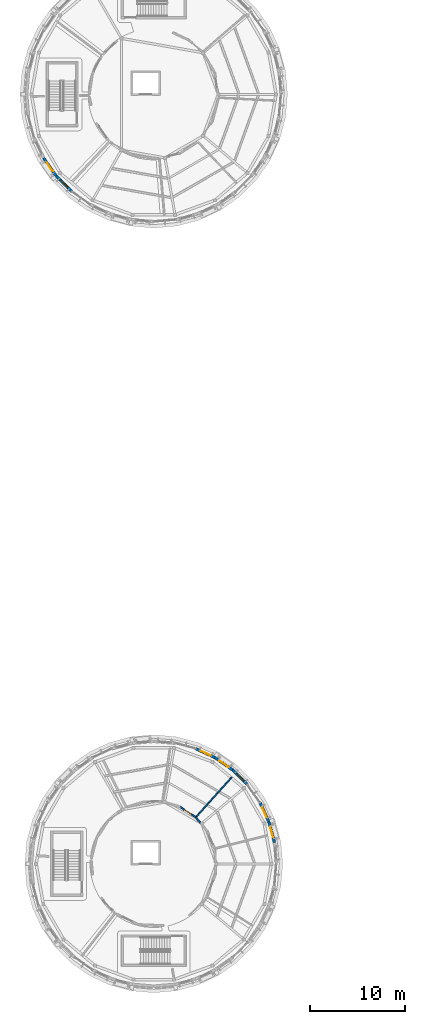
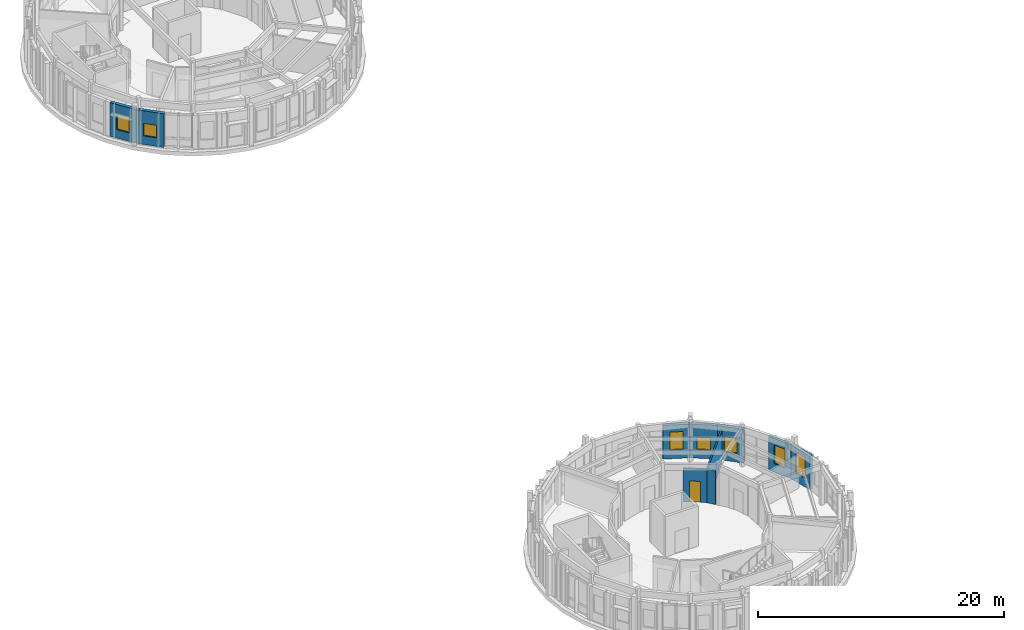
# One storey, part 19 of 37: 10 walls, 7 windows, 1 door, 8 openings.
"""IFC4 building model written with IfcOpenShell, lengths in metres."""

from ifc_helpers import new_model, si_unit, direction, frame, frame_2d, origin, place, context, subcontext, project, spatial, rectangle, extrude, material, layer, layer_set, type_object, element, fill, save


model = new_model("IFC4")

# Units and contexts
model_context = context("Model", 3, precision=1e-05, world=origin(), true_north=direction((0.0, 1.0)))
body_context = subcontext(model_context, "Body", "Model", "MODEL_VIEW")
ifc_project = project(units=[si_unit("LENGTHUNIT", "METRE"), si_unit("AREAUNIT", "SQUARE_METRE"), si_unit("VOLUMEUNIT", "CUBIC_METRE"), si_unit("PLANEANGLEUNIT", "RADIAN"), si_unit("MASSUNIT", "GRAM", prefix="KILO")], contexts=[model_context])

# Site, building, storey
site_placement = place(None, origin())
site = spatial("IfcSite", under=ifc_project, at=site_placement, CompositionType="ELEMENT")
building_placement = place(site_placement, origin())
building = spatial("IfcBuilding", under=site, at=building_placement, Name="Aldenvaro Health Centre", CompositionType="ELEMENT")
storey_placement = place(building_placement, frame((0.0, 0.0, 12.949951171875)))
storey = spatial("IfcBuildingStorey", under=building, at=storey_placement, Name="L03", CompositionType="ELEMENT", Elevation=12.949951171875)

# Wall
ifc_material_1 = material(Name="Gypsum Stud Acoustic Assembly")
ifc_layer_1 = layer(ifc_material_1, 0.1650390625, Name="Gypsum Stud Acoustic Assembly")
ifc_layer_set_1 = layer_set([ifc_layer_1], Name="Gypsum Stud Acoustic Assembly")
wall_type_1 = type_object("IfcWallType", Name="WL-COR-165", PredefinedType="PARTITIONING", material=ifc_layer_set_1)
wall_1_placement = place(storey_placement, frame((23.407958984375, 22.80908203125, 0.0), z_axis=(0.0, 0.0, 1.0), x_axis=(-0.635012128366, 0.772502166229, 0.0)))
element("IfcWall", 1, at=wall_1_placement, inside=storey, type_object=wall_type_1, Name="D5 L03 corridor wall 06.3", PredefinedType="PARTITIONING", context=body_context, shape_type="SweptSolid", body=[
    extrude(rectangle(XDim=0.763427734375, YDim=0.1650390625, at=frame_2d((0.3818359375, 0.0))), origin(), (0.0, 0.0, 1.0), 3.323974609375),
])

# Wall, opening, door
wall_2_placement = place(storey_placement, frame((22.908935546875, 23.410888671875, 0.0), z_axis=(0.0, 0.0, 1.0), x_axis=(-0.834152513301, 0.551533847152, 0.0)))
wall_2 = element("IfcWall", 2, at=wall_2_placement, inside=storey, type_object=wall_type_1, Name="D5 L03 corridor wall 07.1", PredefinedType="PARTITIONING", context=body_context, shape_type="SweptSolid", body=[
    extrude(rectangle(XDim=1.94189453125, YDim=0.1650390625, at=frame_2d((0.970947265625, 0.0))), origin(), (0.0, 0.0, 1.0), 3.323974609375),
])
opening_1_placement = place(wall_2_placement, frame((0.52099609375, 0.0, 0.0)))
opening_1 = element("IfcOpeningElement", 3, at=opening_1_placement, cuts=wall_2, Name="Opening WD-01", PredefinedType="OPENING", context=body_context, shape_type="SweptSolid", body=[
    extrude(rectangle(XDim=0.89990234375, YDim=2.10009765625, at=frame_2d((0.449951171875, 1.050048828125))), frame((0.0, 0.092529296875, 0.0), z_axis=(0.0, -1.0, 0.0), x_axis=(1.0, 0.0, 0.0)), (0.0, 0.0, 1.0), 0.18505859375),
])
ifc_material_2 = material(Name="Moisture-Resistant Laminate Door")
door_type = type_object("IfcDoorType", Name="DR-WC-01", OperationType="NOTDEFINED", PredefinedType="DOOR", material=ifc_material_2)
door_placement = place(opening_1_placement, origin())
door = element("IfcDoor", 4, at=door_placement, inside=storey, type_object=door_type, Name="Female Patient WC Door", OperationType="SINGLE_SWING_LEFT", OverallHeight=2.10009765625, OverallWidth=0.89990234375, PredefinedType="DOOR", context=body_context, shape_type="SweptSolid", body=[
    extrude(rectangle(XDim=0.89990234375, YDim=2.10009765625, at=frame_2d((0.449951171875, 1.050048828125))), frame((0.0, 0.02490234375, 0.0), z_axis=(0.0, -1.0, 0.0), x_axis=(1.0, 0.0, 0.0)), (0.0, 0.0, 1.0), 0.050048828125),
])
fill(opening_1, door)

# Wall, opening, window
ifc_material_3 = material(Name="Cross-laminated timber CLT E1", Category="wood")
ifc_layer_2 = layer(ifc_material_3, 0.2900390625, Name="Cross-laminated timber CLT E1", Category="wood")
ifc_layer_set_2 = layer_set([ifc_layer_2], Name="Cross-laminated timber CLT E1")
wall_type_2 = type_object("IfcWallType", Name="WL-EXT-290", PredefinedType="ELEMENTEDWALL", material=ifc_layer_set_2)
wall_3_placement = place(storey_placement, frame((9.886962890625, 89.235107421875, 0.0), z_axis=(0.0, 0.0, 1.0), x_axis=(-0.707106781187, 0.707106781187, 0.0)))
wall_3 = element("IfcWall", 5, at=wall_3_placement, inside=storey, type_object=wall_type_2, Name="D4 L03 exterior wall 14", PredefinedType="ELEMENTEDWALL", context=body_context, shape_type="SweptSolid", body=[
    extrude(rectangle(XDim=2.336181640625, YDim=0.2900390625, at=frame_2d((1.16796875, 0.0))), origin(), (0.0, 0.0, 1.0), 3.34912109375),
])
opening_2_placement = place(wall_3_placement, frame((0.617919921875, 0.0, 0.85009765625)))
opening_2 = element("IfcOpeningElement", 6, at=opening_2_placement, cuts=wall_3, Name="Opening W-25", PredefinedType="OPENING", context=body_context, shape_type="SweptSolid", body=[
    extrude(rectangle(XDim=1.10009765625, YDim=1.25, at=frame_2d((0.550048828125, 0.625))), frame((0.0, 0.155029296875, 0.0), z_axis=(0.0, -1.0, 0.0), x_axis=(1.0, 0.0, 0.0)), (0.0, 0.0, 1.0), 0.31005859375),
])
ifc_material_4 = material(Name="Thermally Broken Aluminium Low-E Glass", Category="aluminium")
window_type_1 = type_object("IfcWindowType", Name="WN-EXT-25", PartitioningType="SINGLE_PANEL", PredefinedType="WINDOW", material=ifc_material_4)
window_1_placement = place(opening_2_placement, origin())
window_1 = element("IfcWindow", 7, at=window_1_placement, inside=storey, type_object=window_type_1, Name="D4 L03 clinical window 14", OverallHeight=1.25, OverallWidth=1.10009765625, PartitioningType="SINGLE_PANEL", PredefinedType="WINDOW", context=body_context, shape_type="SweptSolid", body=[
    extrude(rectangle(XDim=1.10009765625, YDim=1.25, at=frame_2d((0.550048828125, 0.625))), frame((0.0, 0.030029296875, 0.0), z_axis=(0.0, -1.0, 0.0), x_axis=(1.0, 0.0, 0.0)), (0.0, 0.0, 1.0), 0.06005859375),
])
fill(opening_2, window_1)

wall_4_placement = place(storey_placement, frame((8.235107421875, 90.886962890625, 0.0), z_axis=(0.0, 0.0, 1.0), x_axis=(-0.573728883722, 0.819045278347, 0.0)))
wall_4 = element("IfcWall", 8, at=wall_4_placement, inside=storey, type_object=wall_type_2, Name="D4 L03 exterior wall 15", PredefinedType="ELEMENTEDWALL", context=body_context, shape_type="SweptSolid", body=[
    extrude(rectangle(XDim=2.335693359375, YDim=0.2900390625, at=frame_2d((1.16796875, 0.0))), origin(), (0.0, 0.0, 1.0), 3.34912109375),
])
opening_3_placement = place(wall_4_placement, frame((0.617919921875, 0.0, 0.85009765625)))
opening_3 = element("IfcOpeningElement", 9, at=opening_3_placement, cuts=wall_4, Name="Opening W-26", PredefinedType="OPENING", context=body_context, shape_type="SweptSolid", body=[
    extrude(rectangle(XDim=1.10009765625, YDim=1.5, at=frame_2d((0.550048828125, 0.75))), frame((0.0, 0.155029296875, 0.0), z_axis=(0.0, -1.0, 0.0), x_axis=(1.0, 0.0, 0.0)), (0.0, 0.0, 1.0), 0.31005859375),
])
window_type_2 = type_object("IfcWindowType", Name="WN-EXT-26", PartitioningType="SINGLE_PANEL", PredefinedType="WINDOW", material=ifc_material_4)
window_2_placement = place(opening_3_placement, origin())
window_2 = element("IfcWindow", 10, at=window_2_placement, inside=storey, type_object=window_type_2, Name="D4 L03 clinical window 15", OverallHeight=1.5, OverallWidth=1.10009765625, PartitioningType="SINGLE_PANEL", PredefinedType="WINDOW", context=body_context, shape_type="SweptSolid", body=[
    extrude(rectangle(XDim=1.10009765625, YDim=1.5, at=frame_2d((0.550048828125, 0.75))), frame((0.0, 0.030029296875, 0.0), z_axis=(0.0, -1.0, 0.0), x_axis=(1.0, 0.0, 0.0)), (0.0, 0.0, 1.0), 0.06005859375),
])
fill(opening_3, window_2)

wall_5_placement = place(storey_placement, frame((22.912109375, 30.6220703125, 0.0), z_axis=(0.0, 0.0, 1.0), x_axis=(0.906360600886, -0.422504983593, 0.0)))
wall_5 = element("IfcWall", 11, at=wall_5_placement, inside=storey, type_object=wall_type_2, Name="D5 L03 exterior wall 30", PredefinedType="ELEMENTEDWALL", context=body_context, shape_type="SweptSolid", body=[
    extrude(rectangle(XDim=2.248291015625, YDim=0.2900390625, at=frame_2d((1.1240234375, 0.0))), origin(), (0.0, 0.0, 1.0), 3.34912109375),
])
opening_4_placement = place(wall_5_placement, frame((0.583984375, 0.0, 0.85009765625)))
opening_4 = element("IfcOpeningElement", 12, at=opening_4_placement, cuts=wall_5, Name="Opening W-24", PredefinedType="OPENING", context=body_context, shape_type="SweptSolid", body=[
    extrude(rectangle(XDim=1.080078125, YDim=1.800048828125, at=frame_2d((0.5400390625, 0.89990234375))), frame((0.0, 0.155029296875, 0.0), z_axis=(0.0, -1.0, 0.0), x_axis=(1.0, 0.0, 0.0)), (0.0, 0.0, 1.0), 0.31005859375),
])
window_type_3 = type_object("IfcWindowType", Name="WN-EXT-24", PartitioningType="SINGLE_PANEL", PredefinedType="WINDOW", material=ifc_material_4)
window_3_placement = place(opening_4_placement, origin())
window_3 = element("IfcWindow", 13, at=window_3_placement, inside=storey, type_object=window_type_3, Name="D5 L03 clinical window 30", OverallHeight=1.800048828125, OverallWidth=1.080078125, PartitioningType="SINGLE_PANEL", PredefinedType="WINDOW", context=body_context, shape_type="SweptSolid", body=[
    extrude(rectangle(XDim=1.080078125, YDim=1.800048828125, at=frame_2d((0.5400390625, 0.89990234375))), frame((0.0, 0.030029296875, 0.0), z_axis=(0.0, -1.0, 0.0), x_axis=(1.0, 0.0, 0.0)), (0.0, 0.0, 1.0), 0.06005859375),
])
fill(opening_4, window_3)

wall_6_placement = place(storey_placement, frame((24.949951171875, 29.672119140625, 0.0), z_axis=(0.0, 0.0, 1.0), x_axis=(0.819104393925, -0.573644482107, 0.0)))
wall_6 = element("IfcWall", 14, at=wall_6_placement, inside=storey, type_object=wall_type_2, Name="D5 L03 exterior wall 31", PredefinedType="ELEMENTEDWALL", context=body_context, shape_type="SweptSolid", body=[
    extrude(rectangle(XDim=2.248779296875, YDim=0.2900390625, at=frame_2d((1.12451171875, 0.0))), origin(), (0.0, 0.0, 1.0), 3.34912109375),
])
opening_5_placement = place(wall_6_placement, frame((0.573974609375, 0.0, 0.85009765625)))
opening_5 = element("IfcOpeningElement", 15, at=opening_5_placement, cuts=wall_6, Name="Opening W-25", PredefinedType="OPENING", context=body_context, shape_type="SweptSolid", body=[
    extrude(rectangle(XDim=1.10009765625, YDim=1.25, at=frame_2d((0.550048828125, 0.625))), frame((0.0, 0.155029296875, 0.0), z_axis=(0.0, -1.0, 0.0), x_axis=(1.0, 0.0, 0.0)), (0.0, 0.0, 1.0), 0.31005859375),
])
window_4_placement = place(opening_5_placement, origin())
window_4 = element("IfcWindow", 16, at=window_4_placement, inside=storey, type_object=window_type_1, Name="D5 L03 clinical window 31", OverallHeight=1.25, OverallWidth=1.10009765625, PartitioningType="SINGLE_PANEL", PredefinedType="WINDOW", context=body_context, shape_type="SweptSolid", body=[
    extrude(rectangle(XDim=1.10009765625, YDim=1.25, at=frame_2d((0.550048828125, 0.625))), frame((0.0, 0.030029296875, 0.0), z_axis=(0.0, -1.0, 0.0), x_axis=(1.0, 0.0, 0.0)), (0.0, 0.0, 1.0), 0.06005859375),
])
fill(opening_5, window_4)

wall_7_placement = place(storey_placement, frame((26.7919921875, 28.382080078125, 0.0), z_axis=(0.0, 0.0, 1.0), x_axis=(0.707106781187, -0.707106781187, 0.0)))
wall_7 = element("IfcWall", 17, at=wall_7_placement, inside=storey, type_object=wall_type_2, Name="D5 L03 exterior wall 32", PredefinedType="ELEMENTEDWALL", context=body_context, shape_type="SweptSolid", body=[
    extrude(rectangle(XDim=2.248779296875, YDim=0.2900390625, at=frame_2d((1.12451171875, 0.0))), origin(), (0.0, 0.0, 1.0), 3.34912109375),
])
opening_6_placement = place(wall_7_placement, frame((0.573974609375, 0.0, 0.85009765625)))
opening_6 = element("IfcOpeningElement", 18, at=opening_6_placement, cuts=wall_7, Name="Opening W-26", PredefinedType="OPENING", context=body_context, shape_type="SweptSolid", body=[
    extrude(rectangle(XDim=1.10009765625, YDim=1.5, at=frame_2d((0.550048828125, 0.75))), frame((0.0, 0.155029296875, 0.0), z_axis=(0.0, -1.0, 0.0), x_axis=(1.0, 0.0, 0.0)), (0.0, 0.0, 1.0), 0.31005859375),
])
window_5_placement = place(opening_6_placement, origin())
window_5 = element("IfcWindow", 19, at=window_5_placement, inside=storey, type_object=window_type_2, Name="D5 L03 clinical window 32", OverallHeight=1.5, OverallWidth=1.10009765625, PartitioningType="SINGLE_PANEL", PredefinedType="WINDOW", context=body_context, shape_type="SweptSolid", body=[
    extrude(rectangle(XDim=1.10009765625, YDim=1.5, at=frame_2d((0.550048828125, 0.75))), frame((0.0, 0.030029296875, 0.0), z_axis=(0.0, -1.0, 0.0), x_axis=(1.0, 0.0, 0.0)), (0.0, 0.0, 1.0), 0.06005859375),
])
fill(opening_6, window_5)

wall_8_placement = place(storey_placement, frame((29.672119140625, 24.949951171875, 0.0), z_axis=(0.0, 0.0, 1.0), x_axis=(0.422504983593, -0.906360600886, 0.0)))
wall_8 = element("IfcWall", 20, at=wall_8_placement, inside=storey, type_object=wall_type_2, Name="D5 L03 exterior wall 34", PredefinedType="ELEMENTEDWALL", context=body_context, shape_type="SweptSolid", body=[
    extrude(rectangle(XDim=2.248291015625, YDim=0.2900390625, at=frame_2d((1.1240234375, 0.0))), origin(), (0.0, 0.0, 1.0), 3.34912109375),
])
opening_7_placement = place(wall_8_placement, frame((0.573974609375, 0.0, 0.85009765625)))
opening_7 = element("IfcOpeningElement", 21, at=opening_7_placement, cuts=wall_8, Name="Opening W-27", PredefinedType="OPENING", context=body_context, shape_type="SweptSolid", body=[
    extrude(rectangle(XDim=1.10009765625, YDim=1.85009765625, at=frame_2d((0.550048828125, 0.925048828125))), frame((0.0, 0.155029296875, 0.0), z_axis=(0.0, -1.0, 0.0), x_axis=(1.0, 0.0, 0.0)), (0.0, 0.0, 1.0), 0.31005859375),
])
window_type_4 = type_object("IfcWindowType", Name="WN-EXT-27", PartitioningType="SINGLE_PANEL", PredefinedType="WINDOW", material=ifc_material_4)
window_6_placement = place(opening_7_placement, origin())
window_6 = element("IfcWindow", 22, at=window_6_placement, inside=storey, type_object=window_type_4, Name="D5 L03 clinical window 34", OverallHeight=1.85009765625, OverallWidth=1.10009765625, PartitioningType="SINGLE_PANEL", PredefinedType="WINDOW", context=body_context, shape_type="SweptSolid", body=[
    extrude(rectangle(XDim=1.10009765625, YDim=1.85009765625, at=frame_2d((0.550048828125, 0.925048828125))), frame((0.0, 0.030029296875, 0.0), z_axis=(0.0, -1.0, 0.0), x_axis=(1.0, 0.0, 0.0)), (0.0, 0.0, 1.0), 0.06005859375),
])
fill(opening_7, window_6)

wall_9_placement = place(storey_placement, frame((30.6220703125, 22.912109375, 0.0), z_axis=(0.0, 0.0, 1.0), x_axis=(0.258824721145, -0.96592430538, 0.0)))
wall_9 = element("IfcWall", 23, at=wall_9_placement, inside=storey, type_object=wall_type_2, Name="D5 L03 exterior wall 35", PredefinedType="ELEMENTEDWALL", context=body_context, shape_type="SweptSolid", body=[
    extrude(rectangle(XDim=2.248779296875, YDim=0.2900390625, at=frame_2d((1.12451171875, 0.0))), origin(), (0.0, 0.0, 1.0), 3.34912109375),
])
opening_8_placement = place(wall_9_placement, frame((0.573974609375, 0.0, 0.85009765625)))
opening_8 = element("IfcOpeningElement", 24, at=opening_8_placement, cuts=wall_9, Name="Opening W-28", PredefinedType="OPENING", context=body_context, shape_type="SweptSolid", body=[
    extrude(rectangle(XDim=1.10009765625, YDim=2.10009765625, at=frame_2d((0.550048828125, 1.050048828125))), frame((0.0, 0.155029296875, 0.0), z_axis=(0.0, -1.0, 0.0), x_axis=(1.0, 0.0, 0.0)), (0.0, 0.0, 1.0), 0.31005859375),
])
window_type_5 = type_object("IfcWindowType", Name="WN-EXT-28", PartitioningType="SINGLE_PANEL", PredefinedType="WINDOW", material=ifc_material_4)
window_7_placement = place(opening_8_placement, origin())
window_7 = element("IfcWindow", 25, at=window_7_placement, inside=storey, type_object=window_type_5, Name="D5 L03 clinical window 35", OverallHeight=2.10009765625, OverallWidth=1.10009765625, PartitioningType="SINGLE_PANEL", PredefinedType="WINDOW", context=body_context, shape_type="SweptSolid", body=[
    extrude(rectangle(XDim=1.10009765625, YDim=2.10009765625, at=frame_2d((0.550048828125, 1.050048828125))), frame((0.0, 0.030029296875, 0.0), z_axis=(0.0, -1.0, 0.0), x_axis=(1.0, 0.0, 0.0)), (0.0, 0.0, 1.0), 0.06005859375),
])
fill(opening_8, window_7)

# Wall
ifc_material_5 = material(Name="Moisture-Resistant Plumbing Stud Wall")
ifc_layer_3 = layer(ifc_material_5, 0.135009765625, Name="Moisture-Resistant Plumbing Stud Wall")
ifc_layer_set_3 = layer_set([ifc_layer_3], Name="Moisture-Resistant Plumbing Stud Wall")
wall_type_3 = type_object("IfcWallType", Name="WL-WET-135", PredefinedType="PLUMBINGWALL", material=ifc_layer_set_3)
wall_10_placement = place(storey_placement, frame((22.971923828125, 23.466064453125, 0.0), z_axis=(0.0, 0.0, 1.0), x_axis=(0.669003365604, 0.743259373846, 0.0)))
element("IfcWall", 26, at=wall_10_placement, inside=storey, type_object=wall_type_3, Name="D5 L03 clinical partition 7.1", PredefinedType="PLUMBINGWALL", context=body_context, shape_type="SweptSolid", body=[
    extrude(rectangle(XDim=5.5859375, YDim=0.135009765625, at=frame_2d((2.79296875, 0.0))), origin(), (0.0, 0.0, 1.0), 3.323974609375),
])

save(model, "model.ifc")
